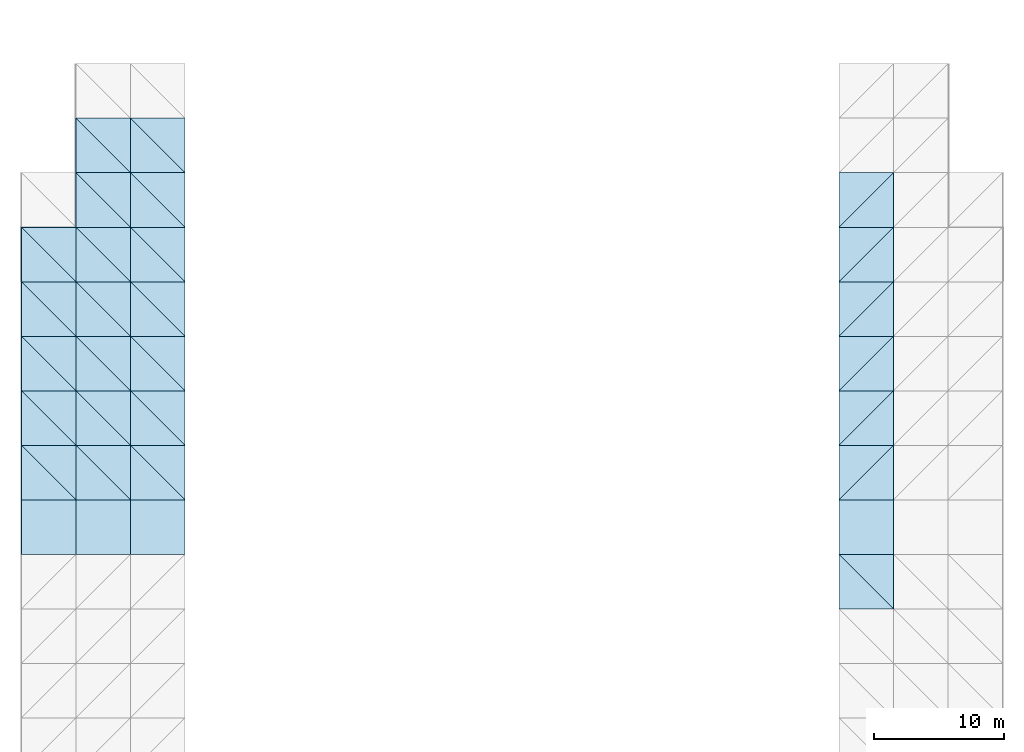
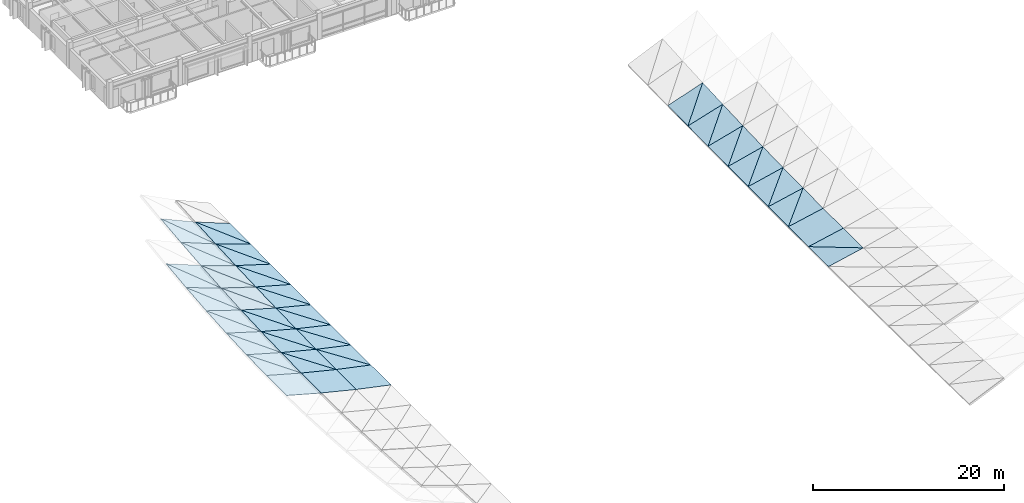
# One storey, part 18 of 24: 56 roofs.
"""IFC4 building model written with IfcOpenShell, lengths in metres."""

from ifc_helpers import new_model, si_unit, direction, frame, origin, place, context, subcontext, project, spatial, polyline, outline, extrude, material, layer, layer_set, type_object, element, save


model = new_model("IFC4")

# Units and contexts
model_context = context("Model", 3, precision=1e-05, world=origin(), true_north=direction((0.0, 1.0)))
body_context = subcontext(model_context, "Body", "Model", "MODEL_VIEW")
ifc_project = project(units=[si_unit("LENGTHUNIT", "METRE"), si_unit("AREAUNIT", "SQUARE_METRE"), si_unit("VOLUMEUNIT", "CUBIC_METRE"), si_unit("PLANEANGLEUNIT", "RADIAN"), si_unit("MASSUNIT", "GRAM", prefix="KILO")], contexts=[model_context])

# Site, building, storey
site_placement = place(None, origin())
site = spatial("IfcSite", under=ifc_project, at=site_placement, CompositionType="ELEMENT")
building_placement = place(site_placement, origin())
building = spatial("IfcBuilding", under=site, at=building_placement, Name="Cumbredor Promenade Congress Hotel", CompositionType="ELEMENT")
storey_placement = place(building_placement, frame((0.0, 0.0, 35.280029296875)))
storey = spatial("IfcBuildingStorey", under=building, at=storey_placement, Name="L10", CompositionType="ELEMENT", Elevation=35.280029296875)

# Roofs
ifc_material = material(Name="Standing-seam zinc-aluminium roofing", Category="aluminium")
ifc_layer = layer(ifc_material, 0.050048828125, Name="Standing-seam zinc-aluminium roofing", Category="aluminium")
ifc_layer_set = layer_set([ifc_layer], Name="Standing-seam zinc-aluminium roofing")
roof_type = type_object("IfcRoofType", Name="Sweeping Pavilion Standing-Seam Roof Skin 50mm", PredefinedType="FREEFORM", material=ifc_layer_set)
roof_1_placement = place(storey_placement, frame((-4.199951171875, 33.60009765625, 3.28271484375), z_axis=(0.265946954374, 0.0, 0.963987664578), x_axis=(0.963987664578, 0.0, -0.265946954374)))
element("IfcRoof", 1, at=roof_1_placement, inside=storey, type_object=roof_type, Name="Plenary Congress Hall Standing-Seam Roof Skin 1.9", PredefinedType="FREEFORM", context=body_context, shape_type="SweptSolid", body=[
    extrude(outline(polyline([(0.0, 0.0), (4.356851572070339, 0.0), (4.356851572070339, 4.199951171875), (0.0, 4.199951171875), (0.0, 0.0)])), origin(), (0.0, 0.0, -1.0), 0.050048828125),
])
roof_2_placement = place(storey_placement, frame((-4.199951171875, 37.800048828125, 3.28271484375), z_axis=(0.265873330645, -0.023528613331, 0.963720797953), x_axis=(0.963987664578, 0.0, -0.265946954374)))
element("IfcRoof", 2, at=roof_2_placement, inside=storey, type_object=roof_type, Name="Plenary Congress Hall Standing-Seam Roof Skin 1.10.1", PredefinedType="FREEFORM", context=body_context, shape_type="SweptSolid", body=[
    extrude(outline(polyline([(0.0, 0.0), (4.356851572070339, 3.469446951953614e-18), (-0.027269951376200682, 4.201114192119099), (0.0, 0.0)])), origin(), (0.0, 0.0, -1.0), 0.050048828125),
])
roof_3_placement = place(storey_placement, frame((0.0, 37.800048828125, 2.1240234375), z_axis=(0.27349250288, -0.015318263653, 0.961752151891), x_axis=(0.0, 0.999873182225, 0.015925434629)))
element("IfcRoof", 3, at=roof_3_placement, inside=storey, type_object=roof_type, Name="Plenary Congress Hall Standing-Seam Roof Skin 1.10.2", PredefinedType="FREEFORM", context=body_context, shape_type="SweptSolid", body=[
    extrude(outline(polyline([(0.0, 0.0), (4.2004838678949055, -6.938893903907228e-18), (4.2195041867931025, 4.3664248997557715), (0.0, 0.0)])), origin(), (0.0, 0.0, -1.0), 0.050048828125),
])
roof_4_placement = place(storey_placement, frame((-4.199951171875, 42.0, 3.38525390625), z_axis=(0.273224130767, -0.046859167153, 0.960808405885), x_axis=(0.96186500894, 0.0, -0.273524595927)))
element("IfcRoof", 4, at=roof_4_placement, inside=storey, type_object=roof_type, Name="Plenary Congress Hall Standing-Seam Roof Skin 1.11.1", PredefinedType="FREEFORM", context=body_context, shape_type="SweptSolid", body=[
    extrude(outline(polyline([(0.0, 0.0), (4.366466326188511, 6.938893903907228e-18), (-0.05602713280830973, 4.204569867141989), (0.0, 0.0)])), origin(), (0.0, 0.0, -1.0), 0.050048828125),
])
roof_5_placement = place(storey_placement, frame((0.0, 42.0, 2.19091796875), z_axis=(0.28829058045, -0.030542556671, 0.957055742084), x_axis=(0.0, 0.999491167619, 0.031896800036)))
element("IfcRoof", 5, at=roof_5_placement, inside=storey, type_object=roof_type, Name="Plenary Congress Hall Standing-Seam Roof Skin 1.11.2", PredefinedType="FREEFORM", context=body_context, shape_type="SweptSolid", body=[
    extrude(outline(polyline([(0.0, 0.0), (4.202089330996443, -6.938893903907228e-18), (4.242443143932853, 4.386175137069335), (0.0, 0.0)])), origin(), (0.0, 0.0, -1.0), 0.050048828125),
])
roof_6_placement = place(storey_placement, frame((-4.199951171875, 46.199951171875, 3.590087890625), z_axis=(0.287720702689, -0.069848059433, 0.955163884283), x_axis=(0.957502448296, 0.0, -0.288425140212)))
element("IfcRoof", 6, at=roof_6_placement, inside=storey, type_object=roof_type, Name="Plenary Congress Hall Standing-Seam Roof Skin 1.12.1", PredefinedType="FREEFORM", context=body_context, shape_type="SweptSolid", body=[
    extrude(outline(polyline([(0.0, 0.0), (4.386360765288658, -1.3877787807814457e-17), (-0.08858369784839869, 4.210234071837814), (0.0, 0.0)])), origin(), (0.0, 0.0, -1.0), 0.050048828125),
])
roof_7_placement = place(storey_placement, frame((0.0, 46.199951171875, 2.324951171875), z_axis=(0.310066019111, -0.045430716348, 0.949628934798), x_axis=(0.0, 0.998857604206, 0.047785840159)))
element("IfcRoof", 7, at=roof_7_placement, inside=storey, type_object=roof_type, Name="Plenary Congress Hall Standing-Seam Roof Skin 1.12.2", PredefinedType="FREEFORM", context=body_context, shape_type="SweptSolid", body=[
    extrude(outline(polyline([(0.0, 0.0), (4.204754665919911, 6.938893903907228e-18), (4.2702851991658, 4.417676222360634), (0.0, 0.0)])), origin(), (0.0, 0.0, -1.0), 0.050048828125),
])
roof_8_placement = place(storey_placement, frame((-4.199951171875, 50.39990234375, 3.897216796875), z_axis=(0.309060891398, -0.092322241654, 0.946550563417), x_axis=(0.950610447719, 0.0, -0.31038649566)))
element("IfcRoof", 8, at=roof_8_placement, inside=storey, type_object=roof_type, Name="Plenary Congress Hall Standing-Seam Roof Skin 1.13.1", PredefinedType="FREEFORM", context=body_context, shape_type="SweptSolid", body=[
    extrude(outline(polyline([(0.0, 0.0), (4.4181622261295495, -1.3877787807814457e-17), (-0.12715540520439472, 4.218210522329822), (0.0, 0.0)])), origin(), (0.0, 0.0, -1.0), 0.050048828125),
])
roof_9_placement = place(storey_placement, frame((0.0, 50.39990234375, 2.52587890625), z_axis=(0.338299935989, -0.05993734688, 0.939127609944), x_axis=(0.0, 0.997969553596, 0.063692778996)))
element("IfcRoof", 9, at=roof_9_placement, inside=storey, type_object=roof_type, Name="Plenary Congress Hall Standing-Seam Roof Skin 1.13.2", PredefinedType="FREEFORM", context=body_context, shape_type="SweptSolid", body=[
    extrude(outline(polyline([(0.0, 0.0), (4.208740935399418, 0.0), (4.305104253621704, 4.463103152052119), (0.0, 0.0)])), origin(), (0.0, 0.0, -1.0), 0.050048828125),
])
roof_10_placement = place(storey_placement, frame((-4.199951171875, 54.60009765625, 4.306884765625), z_axis=(0.336700195513, -0.113990158171, 0.934686697339), x_axis=(0.940819069904, 0.0, -0.338909247003)))
element("IfcRoof", 10, at=roof_10_placement, inside=storey, type_object=roof_type, Name="Plenary Congress Hall Standing-Seam Roof Skin 1.14.1", PredefinedType="FREEFORM", context=body_context, shape_type="SweptSolid", body=[
    extrude(outline(polyline([(0.0, 0.0), (4.464143325987234, 0.0), (-0.17359169927071713, 4.227506571365729), (0.0, 0.0)])), origin(), (0.0, 0.0, -1.0), 0.050048828125),
])
roof_11_placement = place(storey_placement, frame((0.0, 54.60009765625, 2.7939453125), z_axis=(0.372363221711, -0.073730499273, 0.925153741058), x_axis=(0.0, 0.99683936923, 0.079443514225)))
element("IfcRoof", 11, at=roof_11_placement, inside=storey, type_object=roof_type, Name="Plenary Congress Hall Standing-Seam Roof Skin 1.14.2", PredefinedType="FREEFORM", context=body_context, shape_type="SweptSolid", body=[
    extrude(outline(polyline([(0.0, 0.0), (4.213267755584073, 1.3877787807814457e-17), (4.347561430509551, 4.525384799482863), (0.0, 0.0)])), origin(), (0.0, 0.0, -1.0), 0.050048828125),
])
roof_12_placement = place(storey_placement, frame((0.0, 33.60009765625, 2.1240234375), z_axis=(0.236537490812, 0.0, 0.971622362567), x_axis=(0.971622362567, 0.0, -0.236537490812)))
element("IfcRoof", 12, at=roof_12_placement, inside=storey, type_object=roof_type, Name="Plenary Congress Hall Standing-Seam Roof Skin 2.9", PredefinedType="FREEFORM", context=body_context, shape_type="SweptSolid", body=[
    extrude(outline(polyline([(0.0, 0.0), (4.322616824892945, 0.0), (4.322616824892945, 4.199951171875), (0.0, 4.199951171875), (0.0, 0.0)])), origin(), (0.0, 0.0, -1.0), 0.050048828125),
])
roof_13_placement = place(storey_placement, frame((0.0, 37.800048828125, 2.1240234375), z_axis=(0.236509171692, -0.015473618205, 0.971506036443), x_axis=(0.971622362567, 0.0, -0.236537490812)))
element("IfcRoof", 13, at=roof_13_placement, inside=storey, type_object=roof_type, Name="Plenary Congress Hall Standing-Seam Roof Skin 2.10.1", PredefinedType="FREEFORM", context=body_context, shape_type="SweptSolid", body=[
    extrude(outline(polyline([(0.0, 0.0), (4.322616824892945, 0.0), (-0.01582306457089034, 4.200454065344952), (0.0, 0.0)])), origin(), (0.0, 0.0, -1.0), 0.050048828125),
])
roof_14_placement = place(storey_placement, frame((4.199951171875, 37.800048828125, 1.1015625), z_axis=(0.243336544081, -0.008231495699, 0.969906989764), x_axis=(0.0, 0.999963988279, 0.008486586194)))
element("IfcRoof", 14, at=roof_14_placement, inside=storey, type_object=roof_type, Name="Plenary Congress Hall Standing-Seam Roof Skin 2.10.2", PredefinedType="FREEFORM", context=body_context, shape_type="SweptSolid", body=[
    extrude(outline(polyline([(0.0, 0.0), (4.200102424791831, -1.734723475976807e-18), (4.209044833486078, 4.330105843887429), (0.0, 0.0)])), origin(), (0.0, 0.0, -1.0), 0.050048828125),
])
roof_15_placement = place(storey_placement, frame((0.0, 42.0, 2.19091796875), z_axis=(0.243228293779, -0.030938909473, 0.969475518508), x_axis=(0.969939850681, 0.0, -0.24334478844)))
element("IfcRoof", 15, at=roof_15_placement, inside=storey, type_object=roof_type, Name="Plenary Congress Hall Standing-Seam Roof Skin 2.11.1", PredefinedType="FREEFORM", context=body_context, shape_type="SweptSolid", body=[
    extrude(outline(polyline([(0.0, 0.0), (4.330115077678804, 6.938893903907228e-18), (-0.03261628145843193, 4.201962746605205), (0.0, 0.0)])), origin(), (0.0, 0.0, -1.0), 0.050048828125),
])
roof_16_placement = place(storey_placement, frame((4.199951171875, 42.0, 1.13720703125), z_axis=(0.256816551653, -0.016458278573, 0.966320021454), x_axis=(0.0, 0.999854988518, 0.017029443215)))
element("IfcRoof", 16, at=roof_16_placement, inside=storey, type_object=roof_type, Name="Plenary Congress Hall Standing-Seam Roof Skin 2.11.2", PredefinedType="FREEFORM", context=body_context, shape_type="SweptSolid", body=[
    extrude(outline(polyline([(0.0, 0.0), (4.200560301350703, 3.469446951953614e-18), (4.219568752127343, 4.345705395206616), (0.0, 0.0)])), origin(), (0.0, 0.0, -1.0), 0.050048828125),
])
roof_17_placement = place(storey_placement, frame((0.0, 46.199951171875, 2.324951171875), z_axis=(0.256577242509, -0.046186148422, 0.965419576309), x_axis=(0.966450923984, 0.0, -0.256851341304)))
element("IfcRoof", 17, at=roof_17_placement, inside=storey, type_object=roof_type, Name="Plenary Congress Hall Standing-Seam Roof Skin 2.12.1", PredefinedType="FREEFORM", context=body_context, shape_type="SweptSolid", body=[
    extrude(outline(polyline([(0.0, 0.0), (4.345746967223105, 6.938893903907228e-18), (-0.05160855807943676, 4.204437935956269), (0.0, 0.0)])), origin(), (0.0, 0.0, -1.0), 0.050048828125),
])
roof_18_placement = place(storey_placement, frame((4.199951171875, 46.199951171875, 1.208740234375), z_axis=(0.27674721727, -0.024514130021, 0.960630019915), x_axis=(0.0, 0.999674554241, 0.025510499873)))
element("IfcRoof", 18, at=roof_18_placement, inside=storey, type_object=roof_type, Name="Plenary Congress Hall Standing-Seam Roof Skin 2.12.2", PredefinedType="FREEFORM", context=body_context, shape_type="SweptSolid", body=[
    extrude(outline(polyline([(0.0, 0.0), (4.201318473155771, 3.469446951953614e-18), (4.2321851814979485, 4.370656994403266), (0.0, 0.0)])), origin(), (0.0, 0.0, -1.0), 0.050048828125),
])
roof_19_placement = place(storey_placement, frame((0.0, 50.39990234375, 2.52587890625), z_axis=(0.276311274717, -0.061213104278, 0.959116799628), x_axis=(0.96091879181, 0.0, -0.276830409359)))
element("IfcRoof", 19, at=roof_19_placement, inside=storey, type_object=roof_type, Name="Plenary Congress Hall Standing-Seam Roof Skin 2.13.1", PredefinedType="FREEFORM", context=body_context, shape_type="SweptSolid", body=[
    extrude(outline(polyline([(0.0, 0.0), (4.370765987376819, 2.7755575615628914e-17), (-0.07420893297771115, 4.208086654950569), (0.0, 0.0)])), origin(), (0.0, 0.0, -1.0), 0.050048828125),
])
roof_20_placement = place(storey_placement, frame((4.199951171875, 50.39990234375, 1.31591796875), z_axis=(0.302809179907, -0.032388567125, 0.952500698836), x_axis=(0.0, 0.999422374374, 0.033984078645)))
element("IfcRoof", 20, at=roof_20_placement, inside=storey, type_object=roof_type, Name="Plenary Congress Hall Standing-Seam Roof Skin 2.13.2", PredefinedType="FREEFORM", context=body_context, shape_type="SweptSolid", body=[
    extrude(outline(polyline([(0.0, 0.0), (4.202622855159053, 0.0), (4.247998569541257, 4.406847341504953), (0.0, 0.0)])), origin(), (0.0, 0.0, -1.0), 0.050048828125),
])
roof_21_placement = place(storey_placement, frame((0.0, 54.60009765625, 2.7939453125), z_axis=(0.302098077759, -0.075731662938, 0.95026389316), x_axis=(0.953000688043, 0.0, -0.302968131309)))
element("IfcRoof", 21, at=roof_21_placement, inside=storey, type_object=roof_type, Name="Plenary Congress Hall Standing-Seam Roof Skin 2.14.1", PredefinedType="FREEFORM", context=body_context, shape_type="SweptSolid", body=[
    extrude(outline(polyline([(0.0, 0.0), (4.407080943979243, 1.3877787807814457e-17), (-0.10140852246696086, 4.212047185373819), (0.0, 0.0)])), origin(), (0.0, 0.0, -1.0), 0.050048828125),
])
roof_22_placement = place(storey_placement, frame((4.199951171875, 54.60009765625, 1.458740234375), z_axis=(0.334371010112, -0.040010674152, 0.94159182959), x_axis=(0.0, 0.999098410723, 0.04245427764)))
element("IfcRoof", 22, at=roof_22_placement, inside=storey, type_object=roof_type, Name="Plenary Congress Hall Standing-Seam Roof Skin 2.14.2", PredefinedType="FREEFORM", context=body_context, shape_type="SweptSolid", body=[
    extrude(outline(polyline([(0.0, 0.0), (4.203741219880335, -1.3877787807814457e-17), (4.26705986785446, 4.456458105381197), (0.0, 0.0)])), origin(), (0.0, 0.0, -1.0), 0.050048828125),
])
roof_23_placement = place(storey_placement, frame((0.0, 58.800048828125, 3.128662109375), z_axis=(0.333285325412, -0.089854465699, 0.938534531522), x_axis=(0.942346411237, 0.0, -0.334638971473)))
element("IfcRoof", 23, at=roof_23_placement, inside=storey, type_object=roof_type, Name="Plenary Congress Hall Standing-Seam Roof Skin 2.15.1", PredefinedType="FREEFORM", context=body_context, shape_type="SweptSolid", body=[
    extrude(outline(polyline([(0.0, 0.0), (4.456907907529506, 0.0), (-0.13455819971089505, 4.217009370737072), (0.0, 0.0)])), origin(), (0.0, 0.0, -1.0), 0.050048828125),
])
roof_24_placement = place(storey_placement, frame((4.199951171875, 58.800048828125, 1.63720703125), z_axis=(0.370825600811, -0.047337144157, 0.92749531997), x_axis=(0.0, 0.998700120129, 0.050971266958)))
element("IfcRoof", 24, at=roof_24_placement, inside=storey, type_object=roof_type, Name="Plenary Congress Hall Standing-Seam Roof Skin 2.15.2", PredefinedType="FREEFORM", context=body_context, shape_type="SweptSolid", body=[
    extrude(outline(polyline([(0.0, 0.0), (4.205417709706994, 0.0), (4.291008621361016, 4.522385881172351), (0.0, 0.0)])), origin(), (0.0, 0.0, -1.0), 0.050048828125),
])
roof_25_placement = place(storey_placement, frame((0.0, 63.0, 3.53076171875), z_axis=(0.369264178227, -0.103080433585, 0.923589947374), x_axis=(0.928536237843, 0.0, -0.371241774335)))
element("IfcRoof", 25, at=roof_25_placement, inside=storey, type_object=roof_type, Name="Plenary Congress Hall Standing-Seam Roof Skin 2.16.1", PredefinedType="FREEFORM", context=body_context, shape_type="SweptSolid", body=[
    extrude(outline(polyline([(0.0, 0.0), (4.523195757689998, 2.7755575615628914e-17), (-0.17401958171959558, 4.222444030867943), (0.0, 0.0)])), origin(), (0.0, 0.0, -1.0), 0.050048828125),
])
roof_26_placement = place(storey_placement, frame((4.199951171875, 63.0, 1.8515625), z_axis=(0.411197951808, -0.054163455448, 0.909935472725), x_axis=(0.0, 0.998233110761, 0.059419328339)))
element("IfcRoof", 26, at=roof_26_placement, inside=storey, type_object=roof_type, Name="Plenary Congress Hall Standing-Seam Roof Skin 2.16.2", PredefinedType="FREEFORM", context=body_context, shape_type="SweptSolid", body=[
    extrude(outline(polyline([(0.0, 0.0), (4.207385155430173, 0.0), (4.320160023230216, 4.607502893355642), (0.0, 0.0)])), origin(), (0.0, 0.0, -1.0), 0.050048828125),
])
roof_27_placement = place(storey_placement, frame((4.199951171875, 33.60009765625, 1.1015625), z_axis=(0.206408909101, 0.0, 0.978465820683), x_axis=(0.978465820683, 0.0, -0.206408909101)))
element("IfcRoof", 27, at=roof_27_placement, inside=storey, type_object=roof_type, Name="Plenary Congress Hall Standing-Seam Roof Skin 3.9", PredefinedType="FREEFORM", context=body_context, shape_type="SweptSolid", body=[
    extrude(outline(polyline([(0.0, 0.0), (4.292384141681474, 0.0), (4.292384141681474, 4.199951171875001), (0.0, 4.199951171875001), (0.0, 0.0)])), origin(), (0.0, 0.0, -1.0), 0.050048828125),
])
roof_28_placement = place(storey_placement, frame((4.199951171875, 37.800048828125, 1.1015625), z_axis=(0.20640179263, -0.008303847265, 0.978432085594), x_axis=(0.978465820683, 0.0, -0.206408909101)))
element("IfcRoof", 28, at=roof_28_placement, inside=storey, type_object=roof_type, Name="Plenary Congress Hall Standing-Seam Roof Skin 3.10.1", PredefinedType="FREEFORM", context=body_context, shape_type="SweptSolid", body=[
    extrude(outline(polyline([(0.0, 0.0), (4.292384141681474, 0.0), (-0.007357348810713182, 4.2000959808271885), (0.0, 0.0)])), origin(), (0.0, 0.0, -1.0), 0.050048828125),
])
roof_29_placement = place(storey_placement, frame((8.39990234375, 37.800048828125, 0.215576171875), z_axis=(0.212441015617, -0.001988084371, 0.977171869429), x_axis=(0.0, 0.999997930353, 0.00203452465)))
element("IfcRoof", 29, at=roof_29_placement, inside=storey, type_object=roof_type, Name="Plenary Congress Hall Standing-Seam Roof Skin 3.10.2", PredefinedType="FREEFORM", context=body_context, shape_type="SweptSolid", body=[
    extrude(outline(polyline([(0.0, 0.0), (4.19995986431109, 4.336808689942018e-19), (4.201817560158948, 4.298059134581628), (0.0, 0.0)])), origin(), (0.0, 0.0, -1.0), 0.050048828125),
])
roof_30_placement = place(storey_placement, frame((4.199951171875, 42.0, 1.13720703125), z_axis=(0.212412019054, -0.016640834648, 0.97703849299), x_axis=(0.977173800561, 0.0, -0.212441435453)))
element("IfcRoof", 30, at=roof_30_placement, inside=storey, type_object=roof_type, Name="Plenary Congress Hall Standing-Seam Roof Skin 3.11.1", PredefinedType="FREEFORM", context=body_context, shape_type="SweptSolid", body=[
    extrude(outline(polyline([(0.0, 0.0), (4.298059536045824, 0.0), (-0.015196616354425528, 4.200532812410216), (0.0, 0.0)])), origin(), (0.0, 0.0, -1.0), 0.050048828125),
])
roof_31_placement = place(storey_placement, frame((8.39990234375, 42.0, 0.22412109375), z_axis=(0.224431548464, -0.004021867729, 0.974481556847), x_axis=(0.0, 0.999991483272, 0.004127151968)))
element("IfcRoof", 31, at=roof_31_placement, inside=storey, type_object=roof_type, Name="Plenary Congress Hall Standing-Seam Roof Skin 3.11.2", PredefinedType="FREEFORM", context=body_context, shape_type="SweptSolid", body=[
    extrude(outline(polyline([(0.0, 0.0), (4.199986942021189, -4.336808689942018e-19), (4.203979074857806, 4.309897270528752), (0.0, 0.0)])), origin(), (0.0, 0.0, -1.0), 0.050048828125),
])
roof_32_placement = place(storey_placement, frame((4.199951171875, 46.199951171875, 1.208740234375), z_axis=(0.224364000125, -0.024860120155, 0.974188262028), x_axis=(0.974489438266, 0.0, -0.224433363623)))
element("IfcRoof", 32, at=roof_32_placement, inside=storey, type_object=roof_type, Name="Plenary Congress Hall Standing-Seam Roof Skin 3.12.1", PredefinedType="FREEFORM", context=body_context, shape_type="SweptSolid", body=[
    extrude(outline(polyline([(0.0, 0.0), (4.309899119426785, 0.0), (-0.02405425943130454, 4.201249612375245), (0.0, 0.0)])), origin(), (0.0, 0.0, -1.0), 0.050048828125),
])
roof_33_placement = place(storey_placement, frame((8.39990234375, 46.199951171875, 0.241455078125), z_axis=(0.242279239069, -0.005921629447, 0.970188489223), x_axis=(0.0, 0.999981373636, 0.006103472896)))
element("IfcRoof", 33, at=roof_33_placement, inside=storey, type_object=roof_type, Name="Plenary Congress Hall Standing-Seam Roof Skin 3.12.2", PredefinedType="FREEFORM", context=body_context, shape_type="SweptSolid", body=[
    extrude(outline(polyline([(0.0, 0.0), (4.200029403152177, 0.0), (4.2064308971857916, 4.328924728243648), (0.0, 0.0)])), origin(), (0.0, 0.0, -1.0), 0.050048828125),
])
roof_34_placement = place(storey_placement, frame((4.199951171875, 50.39990234375, 1.31591796875), z_axis=(0.242151746371, -0.03297265772, 0.969677954567), x_axis=(0.970205499837, 0.0, -0.242283487026)))
element("IfcRoof", 34, at=roof_34_placement, inside=storey, type_object=roof_type, Name="Plenary Congress Hall Standing-Seam Roof Skin 3.13.1", PredefinedType="FREEFORM", context=body_context, shape_type="SweptSolid", body=[
    extrude(outline(polyline([(0.0, 0.0), (4.328929461417131, 0.0), (-0.03460347654052166, 4.202480394019292), (0.0, 0.0)])), origin(), (0.0, 0.0, -1.0), 0.050048828125),
])
roof_35_placement = place(storey_placement, frame((8.39990234375, 50.39990234375, 0.26708984375), z_axis=(0.265626184659, -0.007901079119, 0.964043724617), x_axis=(0.0, 0.999966416382, 0.008195493182)))
element("IfcRoof", 35, at=roof_35_placement, inside=storey, type_object=roof_type, Name="Plenary Congress Hall Standing-Seam Roof Skin 3.13.2", PredefinedType="FREEFORM", context=body_context, shape_type="SweptSolid", body=[
    extrude(outline(polyline([(0.0, 0.0), (4.200336374993049, -1.734723475976807e-18), (4.209820417396498, 4.356451906773383), (0.0, 0.0)])), origin(), (0.0, 0.0, -1.0), 0.050048828125),
])
roof_36_placement = place(storey_placement, frame((4.199951171875, 54.60009765625, 1.458740234375), z_axis=(0.265411860785, -0.040931660387, 0.963265873647), x_axis=(0.964073817229, 0.0, -0.265634476177)))
element("IfcRoof", 36, at=roof_36_placement, inside=storey, type_object=roof_type, Name="Plenary Congress Hall Standing-Seam Roof Skin 3.14.1", PredefinedType="FREEFORM", context=body_context, shape_type="SweptSolid", body=[
    extrude(outline(polyline([(0.0, 0.0), (4.356462230192035, 6.938893903907228e-18), (-0.04740693410279796, 4.203473899802398), (0.0, 0.0)])), origin(), (0.0, 0.0, -1.0), 0.050048828125),
])
roof_37_placement = place(storey_placement, frame((8.39990234375, 54.60009765625, 0.301513671875), z_axis=(0.294110669038, -0.009833318553, 0.955720785692), x_axis=(0.0, 0.999947073439, 0.010288358542)))
element("IfcRoof", 37, at=roof_37_placement, inside=storey, type_object=roof_type, Name="Plenary Congress Hall Standing-Seam Roof Skin 3.14.2", PredefinedType="FREEFORM", context=body_context, shape_type="SweptSolid", body=[
    extrude(outline(polyline([(0.0, 0.0), (4.200173472614002, 1.734723475976807e-18), (4.213470975085079, 4.39430526757785), (0.0, 0.0)])), origin(), (0.0, 0.0, -1.0), 0.050048828125),
])
roof_38_placement = place(storey_placement, frame((4.199951171875, 58.800048828125, 1.63720703125), z_axis=(0.293775578441, -0.048722130312, 0.954631899493), x_axis=(0.95576699535, 0.0, -0.29412488946)))
element("IfcRoof", 38, at=roof_38_placement, inside=storey, type_object=roof_type, Name="Plenary Congress Hall Standing-Seam Roof Skin 3.15.1", PredefinedType="FREEFORM", context=body_context, shape_type="SweptSolid", body=[
    extrude(outline(polyline([(0.0, 0.0), (4.3943253871594905, 6.938893903907228e-18), (-0.06304727855126187, 4.204945083325643), (0.0, 0.0)])), origin(), (0.0, 0.0, -1.0), 0.050048828125),
])
roof_39_placement = place(storey_placement, frame((8.39990234375, 58.800048828125, 0.3447265625), z_axis=(0.327339266425, -0.01164361149, 0.944835134279), x_axis=(0.0, 0.99992407516, 0.012322496305)))
element("IfcRoof", 39, at=roof_39_placement, inside=storey, type_object=roof_type, Name="Plenary Congress Hall Standing-Seam Roof Skin 3.15.2", PredefinedType="FREEFORM", context=body_context, shape_type="SweptSolid", body=[
    extrude(outline(polyline([(0.0, 0.0), (4.2002700767080405, 0.0), (4.218200271526757, 4.444830784642028), (0.0, 0.0)])), origin(), (0.0, 0.0, -1.0), 0.050048828125),
])
roof_40_placement = place(storey_placement, frame((4.199951171875, 63.0, 1.8515625), z_axis=(0.326844885667, -0.056155899819, 0.943408149015), x_axis=(0.944899188184, 0.0, -0.327361457977)))
element("IfcRoof", 40, at=roof_40_placement, inside=storey, type_object=roof_type, Name="Plenary Congress Hall Standing-Seam Roof Skin 3.16.1", PredefinedType="FREEFORM", context=body_context, shape_type="SweptSolid", body=[
    extrude(outline(polyline([(0.0, 0.0), (4.444866949188435, 0.0), (-0.08184036449424405, 4.20658911719146), (0.0, 0.0)])), origin(), (0.0, 0.0, -1.0), 0.050048828125),
])
roof_41_placement = place(storey_placement, frame((8.39990234375, 63.0, 0.396484375), z_axis=(0.364619815794, -0.013368130399, 0.93106051523), x_axis=(0.0, 0.999896940415, 0.014356481095)))
element("IfcRoof", 41, at=roof_41_placement, inside=storey, type_object=roof_type, Name="Plenary Congress Hall Standing-Seam Roof Skin 3.16.2", PredefinedType="FREEFORM", context=body_context, shape_type="SweptSolid", body=[
    extrude(outline(polyline([(0.0, 0.0), (4.200384061714749, 0.0), (4.223997248516269, 4.510467641957859), (0.0, 0.0)])), origin(), (0.0, 0.0, -1.0), 0.050048828125),
])
roof_42_placement = place(storey_placement, frame((58.800048828125, 29.39990234375, 0.22412109375), z_axis=(-0.212441015666, 0.001987968812, 0.977171869654), x_axis=(0.977173800561, 0.0, 0.212441435453)))
element("IfcRoof", 42, at=roof_42_placement, inside=storey, type_object=roof_type, Name="Plenary Congress Hall Standing-Seam Roof Skin 16.8.1", PredefinedType="FREEFORM", context=body_context, shape_type="SweptSolid", body=[
    extrude(outline(polyline([(0.0, 0.0), (4.298059536045824, -2.168404344971009e-19), (-0.0018152954689586809, 4.200203612152533), (0.0, 0.0)])), origin(), (0.0, 0.0, -1.0), 0.050048828125),
])
roof_43_placement = place(storey_placement, frame((63.0, 29.39990234375, 1.13720703125), z_axis=(-0.206401793458, 0.008303364629, 0.978432089515), x_axis=(0.0, 0.999963992465, -0.008486092938)))
element("IfcRoof", 43, at=roof_43_placement, inside=storey, type_object=roof_type, Name="Plenary Congress Hall Standing-Seam Roof Skin 16.8.2", PredefinedType="FREEFORM", context=body_context, shape_type="SweptSolid", body=[
    extrude(outline(polyline([(0.0, 0.0), (4.200346556625418, -1.734723475976807e-18), (4.207865118947404, 4.292377556900048), (0.0, 0.0)])), origin(), (0.0, 0.0, -1.0), 0.050048828125),
])
roof_44_placement = place(storey_placement, frame((58.800048828125, 33.60009765625, 0.215576171875), z_axis=(-0.206408909101, 0.0, 0.978465820683), x_axis=(0.978465820683, 0.0, 0.206408909101)))
element("IfcRoof", 44, at=roof_44_placement, inside=storey, type_object=roof_type, Name="Plenary Congress Hall Standing-Seam Roof Skin 16.9", PredefinedType="FREEFORM", context=body_context, shape_type="SweptSolid", body=[
    extrude(outline(polyline([(0.0, 0.0), (4.292384141681474, 0.0), (4.292384141681474, 4.199951171875001), (0.0, 4.199951171875001), (0.0, 0.0)])), origin(), (0.0, 0.0, -1.0), 0.050048828125),
])
roof_45_placement = place(storey_placement, frame((58.800048828125, 37.800048828125, 0.215576171875), z_axis=(-0.20640179263, -0.008303847265, 0.978432085594), x_axis=(0.978465820683, 0.0, 0.206408909101)))
element("IfcRoof", 45, at=roof_45_placement, inside=storey, type_object=roof_type, Name="Plenary Congress Hall Standing-Seam Roof Skin 16.10.1", PredefinedType="FREEFORM", context=body_context, shape_type="SweptSolid", body=[
    extrude(outline(polyline([(0.0, 0.0), (4.292384141681474, 0.0), (4.299741490492187, 4.2000959808271885), (0.0, 0.0)])), origin(), (0.0, 0.0, -1.0), 0.050048828125),
])
roof_46_placement = place(storey_placement, frame((58.800048828125, 37.800048828125, 0.215576171875), z_axis=(-0.212441015617, -0.001988084371, 0.977171869429), x_axis=(0.698745101566, 0.698745101566, 0.153331556032)))
element("IfcRoof", 46, at=roof_46_placement, inside=storey, type_object=roof_type, Name="Plenary Congress Hall Standing-Seam Roof Skin 16.10.2", PredefinedType="FREEFORM", context=body_context, shape_type="SweptSolid", body=[
    extrude(outline(polyline([(0.0, 0.0), (6.010705710082692, 2.7755575615628914e-17), (2.9360055143312533, 3.003253982206718), (0.0, 0.0)])), origin(), (0.0, 0.0, -1.0), 0.050048828125),
])
roof_47_placement = place(storey_placement, frame((58.800048828125, 42.0, 0.22412109375), z_axis=(-0.212412019054, -0.016640834648, 0.97703849299), x_axis=(0.977173800561, 0.0, 0.212441435453)))
element("IfcRoof", 47, at=roof_47_placement, inside=storey, type_object=roof_type, Name="Plenary Congress Hall Standing-Seam Roof Skin 16.11.1", PredefinedType="FREEFORM", context=body_context, shape_type="SweptSolid", body=[
    extrude(outline(polyline([(0.0, 0.0), (4.298059536045824, 0.0), (4.31325615240025, 4.200532812410216), (0.0, 0.0)])), origin(), (0.0, 0.0, -1.0), 0.050048828125),
])
roof_48_placement = place(storey_placement, frame((58.800048828125, 42.0, 0.22412109375), z_axis=(-0.224431548464, -0.004021867729, 0.974481556847), x_axis=(0.697586866805, 0.697586866805, 0.163539373006)))
element("IfcRoof", 48, at=roof_48_placement, inside=storey, type_object=roof_type, Name="Plenary Congress Hall Standing-Seam Roof Skin 16.11.2", PredefinedType="FREEFORM", context=body_context, shape_type="SweptSolid", body=[
    extrude(outline(polyline([(0.0, 0.0), (6.020685554349562, -8.326672684688674e-17), (2.9326655676573736, 3.0065533391951247), (0.0, 0.0)])), origin(), (0.0, 0.0, -1.0), 0.050048828125),
])
roof_49_placement = place(storey_placement, frame((58.800048828125, 46.199951171875, 0.241455078125), z_axis=(-0.224364000125, -0.024860120155, 0.974188262028), x_axis=(0.974489438266, 0.0, 0.224433363623)))
element("IfcRoof", 49, at=roof_49_placement, inside=storey, type_object=roof_type, Name="Plenary Congress Hall Standing-Seam Roof Skin 16.12.1", PredefinedType="FREEFORM", context=body_context, shape_type="SweptSolid", body=[
    extrude(outline(polyline([(0.0, 0.0), (4.309899119426785, 0.0), (4.333953378858089, 4.201249612375245), (0.0, 0.0)])), origin(), (0.0, 0.0, -1.0), 0.050048828125),
])
roof_50_placement = place(storey_placement, frame((58.800048828125, 46.199951171875, 0.241455078125), z_axis=(-0.242279239069, -0.005921629447, 0.970188489223), x_axis=(0.695813577961, 0.695813577961, 0.1780082286)))
element("IfcRoof", 50, at=roof_50_placement, inside=storey, type_object=roof_type, Name="Plenary Congress Hall Standing-Seam Roof Skin 16.12.2", PredefinedType="FREEFORM", context=body_context, shape_type="SweptSolid", body=[
    extrude(outline(polyline([(0.0, 0.0), (6.036029340187024, -5.551115123125783e-17), (2.926946251384641, 3.0121807098592597), (0.0, 0.0)])), origin(), (0.0, 0.0, -1.0), 0.050048828125),
])
roof_51_placement = place(storey_placement, frame((58.800048828125, 50.39990234375, 0.26708984375), z_axis=(-0.242151746371, -0.03297265772, 0.969677954567), x_axis=(0.970205499837, 0.0, 0.242283487026)))
element("IfcRoof", 51, at=roof_51_placement, inside=storey, type_object=roof_type, Name="Plenary Congress Hall Standing-Seam Roof Skin 16.13.1", PredefinedType="FREEFORM", context=body_context, shape_type="SweptSolid", body=[
    extrude(outline(polyline([(0.0, 0.0), (4.328929461417131, 0.0), (4.363532937957652, 4.202480394019291), (0.0, 0.0)])), origin(), (0.0, 0.0, -1.0), 0.050048828125),
])
roof_52_placement = place(storey_placement, frame((58.800048828125, 50.39990234375, 0.26708984375), z_axis=(-0.265626184659, -0.007901079119, 0.964043724617), x_axis=(0.693272139067, 0.693312438558, 0.196701814264)))
element("IfcRoof", 52, at=roof_52_placement, inside=storey, type_object=roof_type, Name="Plenary Congress Hall Standing-Seam Roof Skin 16.13.2", PredefinedType="FREEFORM", context=body_context, shape_type="SweptSolid", body=[
    extrude(outline(polyline([(0.0, 0.0), (6.058156581234747, -1.942890293094024e-16), (2.9188188839739326, 3.020483733716658), (0.0, 0.0)])), origin(), (0.0, 0.0, -1.0), 0.050048828125),
])
roof_53_placement = place(storey_placement, frame((58.800048828125, 54.60009765625, 0.301513671875), z_axis=(-0.265411860785, -0.040931660387, 0.963265873647), x_axis=(0.964073817229, 0.0, 0.265634476177)))
element("IfcRoof", 53, at=roof_53_placement, inside=storey, type_object=roof_type, Name="Plenary Congress Hall Standing-Seam Roof Skin 16.14.1", PredefinedType="FREEFORM", context=body_context, shape_type="SweptSolid", body=[
    extrude(outline(polyline([(0.0, 0.0), (4.356462230192035, -6.938893903907228e-18), (4.403869164294833, 4.203473899802399), (0.0, 0.0)])), origin(), (0.0, 0.0, -1.0), 0.050048828125),
])
roof_54_placement = place(storey_placement, frame((58.800048828125, 54.60009765625, 0.301513671875), z_axis=(-0.294110669038, -0.009833318553, 0.955720785692), x_axis=(0.689878251711, 0.689878251711, 0.219399169628)))
element("IfcRoof", 54, at=roof_54_placement, inside=storey, type_object=roof_type, Name="Plenary Congress Hall Standing-Seam Roof Skin 16.14.2", PredefinedType="FREEFORM", context=body_context, shape_type="SweptSolid", body=[
    extrude(outline(polyline([(0.0, 0.0), (6.0879599573705185, 1.6653345369377348e-16), (2.9069358440434176, 3.031696092728613), (0.0, 0.0)])), origin(), (0.0, 0.0, -1.0), 0.050048828125),
])
roof_55_placement = place(storey_placement, frame((58.800048828125, 58.800048828125, 0.3447265625), z_axis=(-0.293775578441, -0.048722130312, 0.954631899493), x_axis=(0.95576699535, 0.0, 0.29412488946)))
element("IfcRoof", 55, at=roof_55_placement, inside=storey, type_object=roof_type, Name="Plenary Congress Hall Standing-Seam Roof Skin 16.15.1", PredefinedType="FREEFORM", context=body_context, shape_type="SweptSolid", body=[
    extrude(outline(polyline([(0.0, 0.0), (4.3943253871594905, -6.938893903907228e-18), (4.457372665710753, 4.204945083325643), (0.0, 0.0)])), origin(), (0.0, 0.0, -1.0), 0.050048828125),
])
roof_56_placement = place(storey_placement, frame((58.800048828125, 58.800048828125, 0.3447265625), z_axis=(-0.327339266425, -0.01164361149, 0.944835134279), x_axis=(0.685394803827, 0.685394803827, 0.245902268745)))
element("IfcRoof", 56, at=roof_56_placement, inside=storey, type_object=roof_type, Name="Plenary Congress Hall Standing-Seam Roof Skin 16.15.2", PredefinedType="FREEFORM", context=body_context, shape_type="SweptSolid", body=[
    extrude(outline(polyline([(0.0, 0.0), (6.12778379471811, -4.440892098500626e-16), (2.891352073049212, 3.0466952435324073), (0.0, 0.0)])), origin(), (0.0, 0.0, -1.0), 0.050048828125),
])

save(model, "model.ifc")
